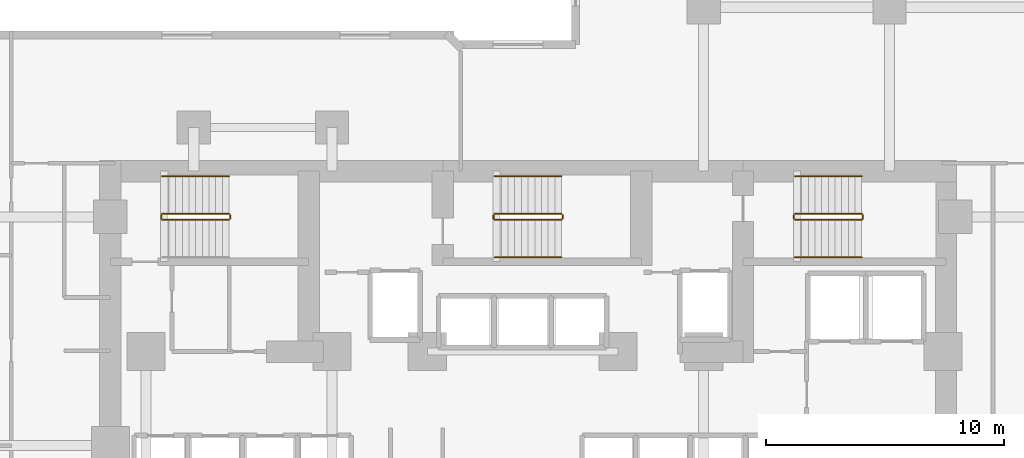
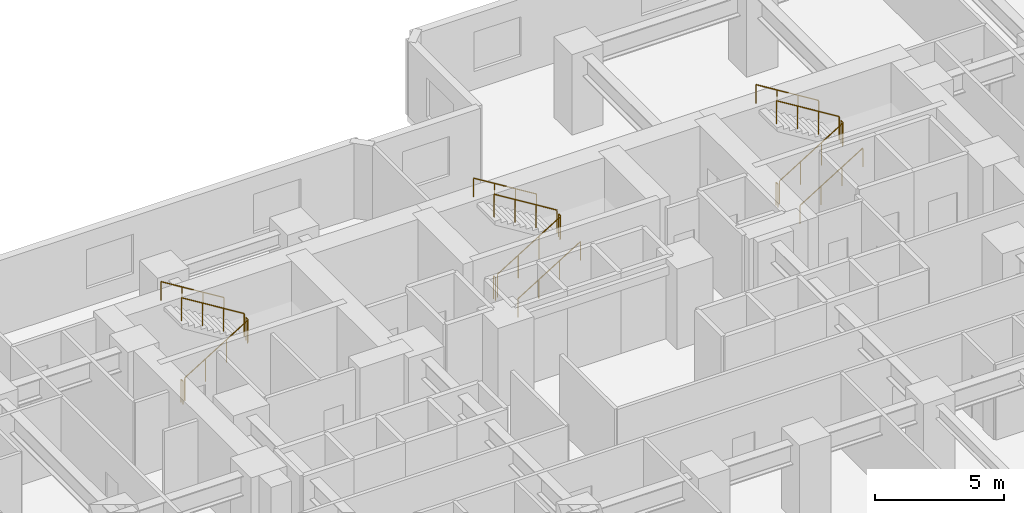
# One storey, part 12 of 12: 17 railings.
"""IFC4 building model written with IfcOpenShell, lengths in metres."""

from ifc_helpers import new_model, si_unit, direction, frame, origin, origin_2d, place, context, subcontext, project, spatial, circle, extrude, material, type_object, element, save


model = new_model("IFC4")

# Units and contexts
model_context = context("Model", 3, precision=1e-05, world=origin(), true_north=direction((0.0, 1.0)))
body_context = subcontext(model_context, "Body", "Model", "MODEL_VIEW")
ifc_project = project(units=[si_unit("LENGTHUNIT", "METRE"), si_unit("AREAUNIT", "SQUARE_METRE"), si_unit("VOLUMEUNIT", "CUBIC_METRE"), si_unit("PLANEANGLEUNIT", "RADIAN"), si_unit("MASSUNIT", "GRAM", prefix="KILO")], contexts=[model_context])

# Site, building, storey
site_placement = place(None, origin())
site = spatial("IfcSite", under=ifc_project, at=site_placement, CompositionType="ELEMENT")
building_placement = place(site_placement, origin())
building = spatial("IfcBuilding", under=site, at=building_placement, Name="Kestravale Grand Hotel", CompositionType="ELEMENT")
storey_placement = place(building_placement, frame((0.0, 0.0, 48.800048828125)))
storey = spatial("IfcBuildingStorey", under=building, at=storey_placement, Name="L11", CompositionType="ELEMENT", Elevation=48.800048828125)

# Railings
ifc_material_1 = material(Name="Painted tubular steel stair well guard", Category="steel")
railing_type_1 = type_object("IfcRailingType", Name="RL-ST-GRD1100", PredefinedType="GUARDRAIL", material=ifc_material_1)
railing_1_placement = place(storey_placement, frame((24.080078125, 38.280029296875, 0.172607421875)))
element("IfcRailing", 1, at=railing_1_placement, inside=storey, type_object=railing_type_1, Name="L11 ST-1 stair guard 1", PredefinedType="GUARDRAIL", context=body_context, shape_type="SweptSolid", body=[
    extrude(circle(Radius=0.02392578125, at=origin_2d()), frame((0.0, 0.0, 1.076171875), z_axis=(0.851069175582, 0.0, 0.525053576669), x_axis=(0.0, 1.0, 0.0)), (0.0, 0.0, 1.0), 3.289794921875),
    extrude(circle(Radius=0.02099609375, at=origin_2d()), origin(), (0.0, 0.0, 1.0), 1.052001953125),
    extrude(circle(Radius=0.02099609375, at=origin_2d()), frame((0.933349609375, 0.0, 0.57568359375)), (0.0, 0.0, 1.0), 1.052001953125),
    extrude(circle(Radius=0.02099609375, at=origin_2d()), frame((1.866455078125, 0.0, 1.151611328125)), (0.0, 0.0, 1.0), 1.052001953125),
    extrude(circle(Radius=0.02099609375, at=origin_2d()), frame((2.7998046875, 0.0, 1.727294921875)), (0.0, 0.0, 1.0), 1.052001953125),
])
railing_2_placement = place(storey_placement, frame((26.929931640625, 38.330078125, 1.89990234375)))
element("IfcRailing", 2, at=railing_2_placement, inside=storey, type_object=railing_type_1, Name="L11 ST-1 stair guard 2", PredefinedType="GUARDRAIL", context=body_context, shape_type="SweptSolid", body=[
    extrude(circle(Radius=0.02392578125, at=origin_2d()), frame((0.0, 0.0, 1.076171875), z_axis=(0.0, 1.0, 0.0), x_axis=(-1.0, 0.0, 0.0)), (0.0, 0.0, 1.0), 0.14990234375),
    extrude(circle(Radius=0.02099609375, at=origin_2d()), origin(), (0.0, 0.0, 1.0), 1.052001953125),
    extrude(circle(Radius=0.02099609375, at=origin_2d()), frame((0.0, 0.14990234375, 0.0)), (0.0, 0.0, 1.0), 1.052001953125),
])
railing_3_placement = place(storey_placement, frame((26.8798828125, 38.530029296875, 2.07275390625)))
element("IfcRailing", 3, at=railing_3_placement, inside=storey, type_object=railing_type_1, Name="L11 ST-1 stair guard 3", PredefinedType="GUARDRAIL", context=body_context, shape_type="SweptSolid", body=[
    extrude(circle(Radius=0.02392578125, at=origin_2d()), frame((0.0, 0.0, 1.076171875), z_axis=(-0.851069175582, 0.0, 0.525053576669), x_axis=(0.0, -1.0, 0.0)), (0.0, 0.0, 1.0), 3.289794921875),
    extrude(circle(Radius=0.02099609375, at=origin_2d()), origin(), (0.0, 0.0, 1.0), 1.052001953125),
    extrude(circle(Radius=0.02099609375, at=origin_2d()), frame((-0.933349609375, 0.0, 0.57568359375)), (0.0, 0.0, 1.0), 1.052001953125),
    extrude(circle(Radius=0.02099609375, at=origin_2d()), frame((-1.866455078125, 0.0, 1.151611328125)), (0.0, 0.0, 1.0), 1.052001953125),
    extrude(circle(Radius=0.02099609375, at=origin_2d()), frame((-2.7998046875, 0.0, 1.727294921875)), (0.0, 0.0, 1.0), 1.052001953125),
])
railing_4_placement = place(storey_placement, frame((24.030029296875, 38.330078125, 0.0)))
element("IfcRailing", 4, at=railing_4_placement, inside=storey, type_object=railing_type_1, Name="L11 ST-1 stair guard 4", PredefinedType="GUARDRAIL", context=body_context, shape_type="SweptSolid", body=[
    extrude(circle(Radius=0.02392578125, at=origin_2d()), frame((0.0, 0.0, 1.076171875), z_axis=(0.0, 1.0, 0.0), x_axis=(-1.0, 0.0, 0.0)), (0.0, 0.0, 1.0), 0.14990234375),
    extrude(circle(Radius=0.02099609375, at=origin_2d()), origin(), (0.0, 0.0, 1.0), 1.052001953125),
    extrude(circle(Radius=0.02099609375, at=origin_2d()), frame((0.0, 0.14990234375, 0.0)), (0.0, 0.0, 1.0), 1.052001953125),
])
railing_5_placement = place(storey_placement, frame((38.030029296875, 38.280029296875, 0.172607421875)))
element("IfcRailing", 5, at=railing_5_placement, inside=storey, type_object=railing_type_1, Name="L11 ST-2 stair guard 1", PredefinedType="GUARDRAIL", context=body_context, shape_type="SweptSolid", body=[
    extrude(circle(Radius=0.02392578125, at=origin_2d()), frame((0.0, 0.0, 1.076171875), z_axis=(0.851089632645, 0.0, 0.525020415988), x_axis=(0.0, 1.0, 0.0)), (0.0, 0.0, 1.0), 3.2900390625),
    extrude(circle(Radius=0.02099609375, at=origin_2d()), origin(), (0.0, 0.0, 1.0), 1.052001953125),
    extrude(circle(Radius=0.02099609375, at=origin_2d()), frame((0.933349609375, 0.0, 0.57568359375)), (0.0, 0.0, 1.0), 1.052001953125),
    extrude(circle(Radius=0.02099609375, at=origin_2d()), frame((1.86669921875, 0.0, 1.151611328125)), (0.0, 0.0, 1.0), 1.052001953125),
    extrude(circle(Radius=0.02099609375, at=origin_2d()), frame((2.800048828125, 0.0, 1.727294921875)), (0.0, 0.0, 1.0), 1.052001953125),
])
railing_6_placement = place(storey_placement, frame((40.8798828125, 38.330078125, 1.89990234375)))
element("IfcRailing", 6, at=railing_6_placement, inside=storey, type_object=railing_type_1, Name="L11 ST-2 stair guard 2", PredefinedType="GUARDRAIL", context=body_context, shape_type="SweptSolid", body=[
    extrude(circle(Radius=0.02392578125, at=origin_2d()), frame((0.0, 0.0, 1.076171875), z_axis=(0.0, 1.0, 0.0), x_axis=(-1.0, 0.0, 0.0)), (0.0, 0.0, 1.0), 0.14990234375),
    extrude(circle(Radius=0.02099609375, at=origin_2d()), origin(), (0.0, 0.0, 1.0), 1.052001953125),
    extrude(circle(Radius=0.02099609375, at=origin_2d()), frame((0.0, 0.14990234375, 0.0)), (0.0, 0.0, 1.0), 1.052001953125),
])
railing_7_placement = place(storey_placement, frame((40.830078125, 38.530029296875, 2.07275390625)))
element("IfcRailing", 7, at=railing_7_placement, inside=storey, type_object=railing_type_1, Name="L11 ST-2 stair guard 3", PredefinedType="GUARDRAIL", context=body_context, shape_type="SweptSolid", body=[
    extrude(circle(Radius=0.02392578125, at=origin_2d()), frame((0.0, 0.0, 1.076171875), z_axis=(-0.851089632645, 0.0, 0.525020415988), x_axis=(0.0, -1.0, 0.0)), (0.0, 0.0, 1.0), 3.2900390625),
    extrude(circle(Radius=0.02099609375, at=origin_2d()), origin(), (0.0, 0.0, 1.0), 1.052001953125),
    extrude(circle(Radius=0.02099609375, at=origin_2d()), frame((-0.933349609375, 0.0, 0.57568359375)), (0.0, 0.0, 1.0), 1.052001953125),
    extrude(circle(Radius=0.02099609375, at=origin_2d()), frame((-1.86669921875, 0.0, 1.151611328125)), (0.0, 0.0, 1.0), 1.052001953125),
    extrude(circle(Radius=0.02099609375, at=origin_2d()), frame((-2.800048828125, 0.0, 1.727294921875)), (0.0, 0.0, 1.0), 1.052001953125),
])
railing_8_placement = place(storey_placement, frame((37.97998046875, 38.330078125, 0.0)))
element("IfcRailing", 8, at=railing_8_placement, inside=storey, type_object=railing_type_1, Name="L11 ST-2 stair guard 4", PredefinedType="GUARDRAIL", context=body_context, shape_type="SweptSolid", body=[
    extrude(circle(Radius=0.02392578125, at=origin_2d()), frame((0.0, 0.0, 1.076171875), z_axis=(0.0, 1.0, 0.0), x_axis=(-1.0, 0.0, 0.0)), (0.0, 0.0, 1.0), 0.14990234375),
    extrude(circle(Radius=0.02099609375, at=origin_2d()), origin(), (0.0, 0.0, 1.0), 1.052001953125),
    extrude(circle(Radius=0.02099609375, at=origin_2d()), frame((0.0, 0.14990234375, 0.0)), (0.0, 0.0, 1.0), 1.052001953125),
])
railing_9_placement = place(storey_placement, frame((50.6298828125, 38.280029296875, 0.172607421875)))
element("IfcRailing", 9, at=railing_9_placement, inside=storey, type_object=railing_type_1, Name="L11 ST-3 stair guard 1", PredefinedType="GUARDRAIL", context=body_context, shape_type="SweptSolid", body=[
    extrude(circle(Radius=0.02392578125, at=origin_2d()), frame((0.0, 0.0, 1.076171875), z_axis=(0.851089632645, 0.0, 0.525020415988), x_axis=(0.0, 1.0, 0.0)), (0.0, 0.0, 1.0), 3.2900390625),
    extrude(circle(Radius=0.02099609375, at=origin_2d()), origin(), (0.0, 0.0, 1.0), 1.052001953125),
    extrude(circle(Radius=0.02099609375, at=origin_2d()), frame((0.933349609375, 0.0, 0.57568359375)), (0.0, 0.0, 1.0), 1.052001953125),
    extrude(circle(Radius=0.02099609375, at=origin_2d()), frame((1.86669921875, 0.0, 1.151611328125)), (0.0, 0.0, 1.0), 1.052001953125),
    extrude(circle(Radius=0.02099609375, at=origin_2d()), frame((2.800048828125, 0.0, 1.727294921875)), (0.0, 0.0, 1.0), 1.052001953125),
])
railing_10_placement = place(storey_placement, frame((53.47998046875, 38.330078125, 1.89990234375)))
element("IfcRailing", 10, at=railing_10_placement, inside=storey, type_object=railing_type_1, Name="L11 ST-3 stair guard 2", PredefinedType="GUARDRAIL", context=body_context, shape_type="SweptSolid", body=[
    extrude(circle(Radius=0.02392578125, at=origin_2d()), frame((0.0, 0.0, 1.076171875), z_axis=(0.0, 1.0, 0.0), x_axis=(-1.0, 0.0, 0.0)), (0.0, 0.0, 1.0), 0.14990234375),
    extrude(circle(Radius=0.02099609375, at=origin_2d()), origin(), (0.0, 0.0, 1.0), 1.052001953125),
    extrude(circle(Radius=0.02099609375, at=origin_2d()), frame((0.0, 0.14990234375, 0.0)), (0.0, 0.0, 1.0), 1.052001953125),
])
railing_11_placement = place(storey_placement, frame((53.429931640625, 38.530029296875, 2.07275390625)))
element("IfcRailing", 11, at=railing_11_placement, inside=storey, type_object=railing_type_1, Name="L11 ST-3 stair guard 3", PredefinedType="GUARDRAIL", context=body_context, shape_type="SweptSolid", body=[
    extrude(circle(Radius=0.02392578125, at=origin_2d()), frame((0.0, 0.0, 1.076171875), z_axis=(-0.851089632645, 0.0, 0.525020415988), x_axis=(0.0, -1.0, 0.0)), (0.0, 0.0, 1.0), 3.2900390625),
    extrude(circle(Radius=0.02099609375, at=origin_2d()), origin(), (0.0, 0.0, 1.0), 1.052001953125),
    extrude(circle(Radius=0.02099609375, at=origin_2d()), frame((-0.933349609375, 0.0, 0.57568359375)), (0.0, 0.0, 1.0), 1.052001953125),
    extrude(circle(Radius=0.02099609375, at=origin_2d()), frame((-1.86669921875, 0.0, 1.151611328125)), (0.0, 0.0, 1.0), 1.052001953125),
    extrude(circle(Radius=0.02099609375, at=origin_2d()), frame((-2.800048828125, 0.0, 1.727294921875)), (0.0, 0.0, 1.0), 1.052001953125),
])
railing_12_placement = place(storey_placement, frame((50.580078125, 38.330078125, 0.0)))
element("IfcRailing", 12, at=railing_12_placement, inside=storey, type_object=railing_type_1, Name="L11 ST-3 stair guard 4", PredefinedType="GUARDRAIL", context=body_context, shape_type="SweptSolid", body=[
    extrude(circle(Radius=0.02392578125, at=origin_2d()), frame((0.0, 0.0, 1.076171875), z_axis=(0.0, 1.0, 0.0), x_axis=(-1.0, 0.0, 0.0)), (0.0, 0.0, 1.0), 0.14990234375),
    extrude(circle(Radius=0.02099609375, at=origin_2d()), origin(), (0.0, 0.0, 1.0), 1.052001953125),
    extrude(circle(Radius=0.02099609375, at=origin_2d()), frame((0.0, 0.14990234375, 0.0)), (0.0, 0.0, 1.0), 1.052001953125),
])
ifc_material_2 = material(Name="Brushed stainless steel wall handrail", Category="steel")
railing_type_2 = type_object("IfcRailingType", Name="RL-ST-HND900", PredefinedType="HANDRAIL", material=ifc_material_2)
railing_13_placement = place(storey_placement, frame((26.8798828125, 40.110107421875, 2.07275390625)))
element("IfcRailing", 13, at=railing_13_placement, inside=storey, type_object=railing_type_2, Name="L11 ST-1 stair handrail 2", PredefinedType="HANDRAIL", context=body_context, shape_type="SweptSolid", body=[
    extrude(circle(Radius=0.02392578125, at=origin_2d()), frame((0.0, 0.0, 0.8759765625), z_axis=(-0.851069175582, 0.0, 0.525053576669), x_axis=(0.0, -1.0, 0.0)), (0.0, 0.0, 1.0), 3.289794921875),
    extrude(circle(Radius=0.02099609375, at=origin_2d()), origin(), (0.0, 0.0, 1.0), 0.851806640625),
    extrude(circle(Radius=0.02099609375, at=origin_2d()), frame((-0.933349609375, 0.0, 0.57568359375)), (0.0, 0.0, 1.0), 0.851806640625),
    extrude(circle(Radius=0.02099609375, at=origin_2d()), frame((-1.866455078125, 0.0, 1.151611328125)), (0.0, 0.0, 1.0), 0.851806640625),
    extrude(circle(Radius=0.02099609375, at=origin_2d()), frame((-2.7998046875, 0.0, 1.727294921875)), (0.0, 0.0, 1.0), 0.851806640625),
])
railing_14_placement = place(storey_placement, frame((38.030029296875, 36.699951171875, 0.172607421875)))
element("IfcRailing", 14, at=railing_14_placement, inside=storey, type_object=railing_type_2, Name="L11 ST-2 stair handrail 1", PredefinedType="HANDRAIL", context=body_context, shape_type="SweptSolid", body=[
    extrude(circle(Radius=0.02392578125, at=origin_2d()), frame((0.0, 0.0, 0.8759765625), z_axis=(0.851089632645, 0.0, 0.525020415988), x_axis=(0.0, 1.0, 0.0)), (0.0, 0.0, 1.0), 3.2900390625),
    extrude(circle(Radius=0.02099609375, at=origin_2d()), origin(), (0.0, 0.0, 1.0), 0.851806640625),
    extrude(circle(Radius=0.02099609375, at=origin_2d()), frame((0.933349609375, 0.0, 0.57568359375)), (0.0, 0.0, 1.0), 0.851806640625),
    extrude(circle(Radius=0.02099609375, at=origin_2d()), frame((1.86669921875, 0.0, 1.151611328125)), (0.0, 0.0, 1.0), 0.851806640625),
    extrude(circle(Radius=0.02099609375, at=origin_2d()), frame((2.800048828125, 0.0, 1.727294921875)), (0.0, 0.0, 1.0), 0.851806640625),
])
railing_15_placement = place(storey_placement, frame((40.830078125, 40.110107421875, 2.07275390625)))
element("IfcRailing", 15, at=railing_15_placement, inside=storey, type_object=railing_type_2, Name="L11 ST-2 stair handrail 2", PredefinedType="HANDRAIL", context=body_context, shape_type="SweptSolid", body=[
    extrude(circle(Radius=0.02392578125, at=origin_2d()), frame((0.0, 0.0, 0.8759765625), z_axis=(-0.851089632645, 0.0, 0.525020415988), x_axis=(0.0, -1.0, 0.0)), (0.0, 0.0, 1.0), 3.2900390625),
    extrude(circle(Radius=0.02099609375, at=origin_2d()), origin(), (0.0, 0.0, 1.0), 0.851806640625),
    extrude(circle(Radius=0.02099609375, at=origin_2d()), frame((-0.933349609375, 0.0, 0.57568359375)), (0.0, 0.0, 1.0), 0.851806640625),
    extrude(circle(Radius=0.02099609375, at=origin_2d()), frame((-1.86669921875, 0.0, 1.151611328125)), (0.0, 0.0, 1.0), 0.851806640625),
    extrude(circle(Radius=0.02099609375, at=origin_2d()), frame((-2.800048828125, 0.0, 1.727294921875)), (0.0, 0.0, 1.0), 0.851806640625),
])
railing_16_placement = place(storey_placement, frame((50.6298828125, 36.699951171875, 0.172607421875)))
element("IfcRailing", 16, at=railing_16_placement, inside=storey, type_object=railing_type_2, Name="L11 ST-3 stair handrail 1", PredefinedType="HANDRAIL", context=body_context, shape_type="SweptSolid", body=[
    extrude(circle(Radius=0.02392578125, at=origin_2d()), frame((0.0, 0.0, 0.8759765625), z_axis=(0.851089632645, 0.0, 0.525020415988), x_axis=(0.0, 1.0, 0.0)), (0.0, 0.0, 1.0), 3.2900390625),
    extrude(circle(Radius=0.02099609375, at=origin_2d()), origin(), (0.0, 0.0, 1.0), 0.851806640625),
    extrude(circle(Radius=0.02099609375, at=origin_2d()), frame((0.933349609375, 0.0, 0.57568359375)), (0.0, 0.0, 1.0), 0.851806640625),
    extrude(circle(Radius=0.02099609375, at=origin_2d()), frame((1.86669921875, 0.0, 1.151611328125)), (0.0, 0.0, 1.0), 0.851806640625),
    extrude(circle(Radius=0.02099609375, at=origin_2d()), frame((2.800048828125, 0.0, 1.727294921875)), (0.0, 0.0, 1.0), 0.851806640625),
])
railing_17_placement = place(storey_placement, frame((53.429931640625, 40.110107421875, 2.07275390625)))
element("IfcRailing", 17, at=railing_17_placement, inside=storey, type_object=railing_type_2, Name="L11 ST-3 stair handrail 2", PredefinedType="HANDRAIL", context=body_context, shape_type="SweptSolid", body=[
    extrude(circle(Radius=0.02392578125, at=origin_2d()), frame((0.0, 0.0, 0.8759765625), z_axis=(-0.851089632645, 0.0, 0.525020415988), x_axis=(0.0, -1.0, 0.0)), (0.0, 0.0, 1.0), 3.2900390625),
    extrude(circle(Radius=0.02099609375, at=origin_2d()), origin(), (0.0, 0.0, 1.0), 0.851806640625),
    extrude(circle(Radius=0.02099609375, at=origin_2d()), frame((-0.933349609375, 0.0, 0.57568359375)), (0.0, 0.0, 1.0), 0.851806640625),
    extrude(circle(Radius=0.02099609375, at=origin_2d()), frame((-1.86669921875, 0.0, 1.151611328125)), (0.0, 0.0, 1.0), 0.851806640625),
    extrude(circle(Radius=0.02099609375, at=origin_2d()), frame((-2.800048828125, 0.0, 1.727294921875)), (0.0, 0.0, 1.0), 0.851806640625),
])

save(model, "model.ifc")
